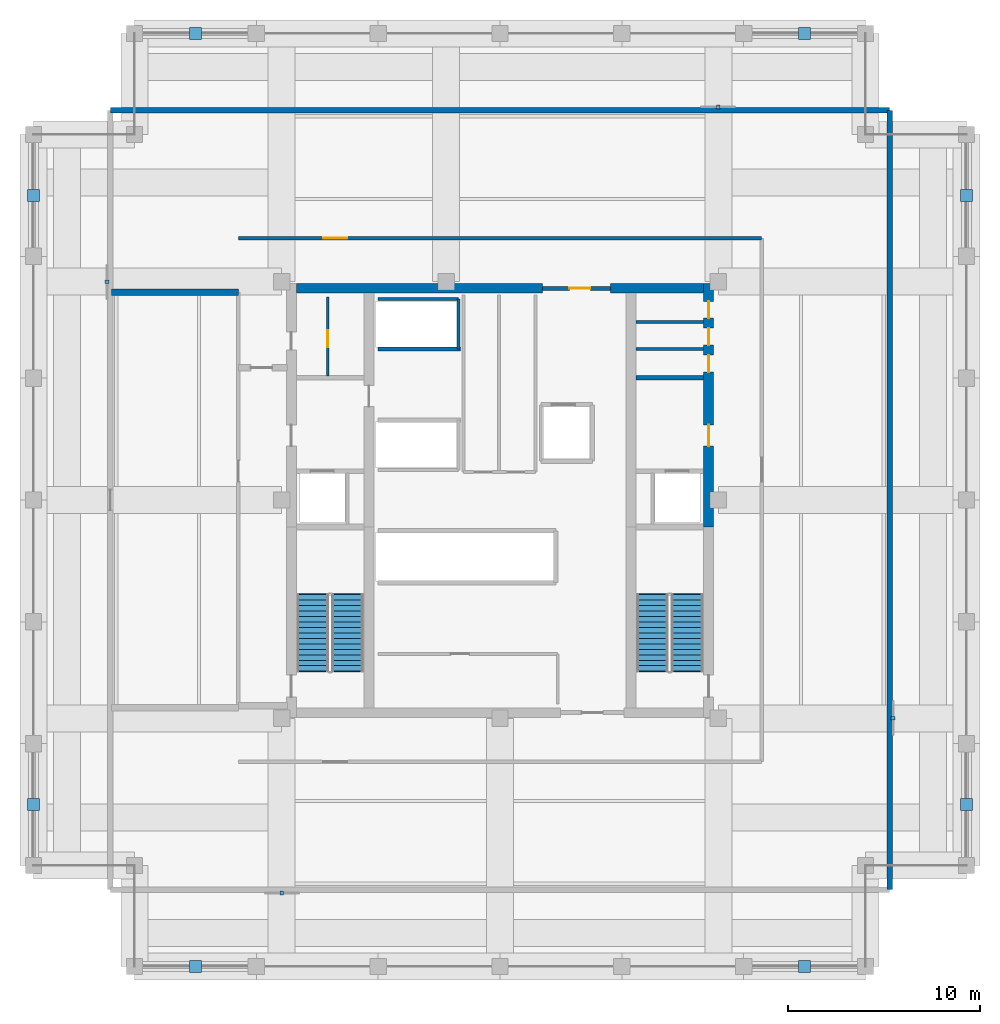
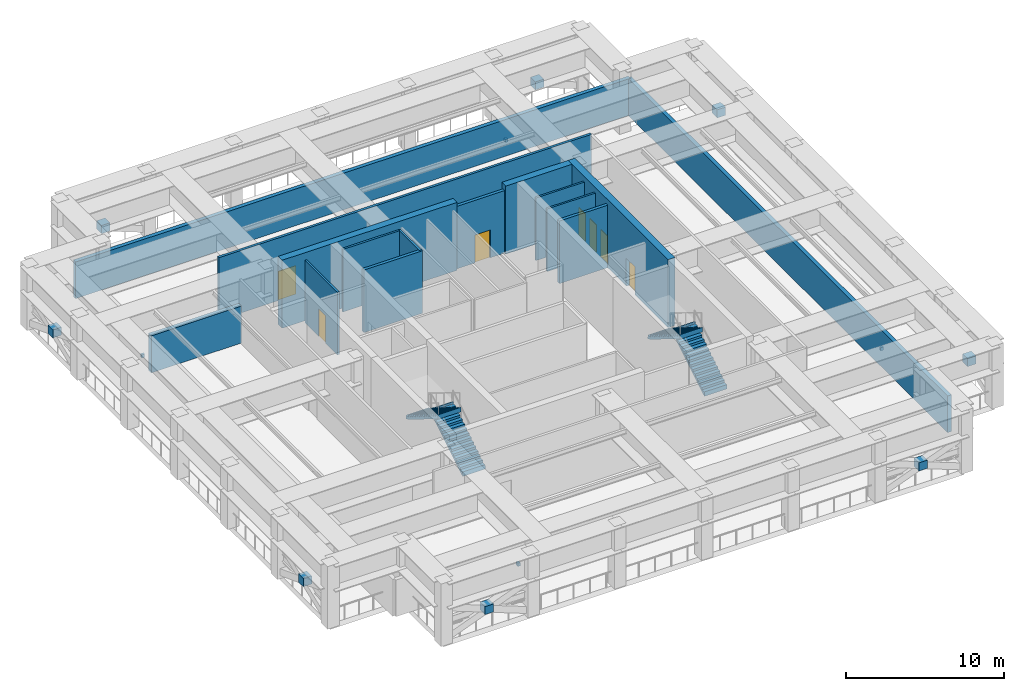
# One storey, part 4 of 10: 15 walls, 12 discrete accessories, 7 doors, 4 stair flights, 7 openings, 2 elements without a shape of their own.
"""IFC4 building model written with IfcOpenShell, lengths in metres."""

from ifc_helpers import new_model, si_unit, direction, frame, frame_2d, origin, origin_2d, place, context, subcontext, project, spatial, polyline, rectangle, outline, extrude, material, layer, layer_set, type_object, element, fill, aggregate, save


model = new_model("IFC4")

# Units and contexts
model_context = context("Model", 3, precision=1e-05, world=origin(), true_north=direction((0.0, 1.0)))
body_context = subcontext(model_context, "Body", "Model", "MODEL_VIEW")
ifc_project = project(units=[si_unit("LENGTHUNIT", "METRE"), si_unit("AREAUNIT", "SQUARE_METRE"), si_unit("VOLUMEUNIT", "CUBIC_METRE"), si_unit("PLANEANGLEUNIT", "RADIAN"), si_unit("MASSUNIT", "GRAM", prefix="KILO")], contexts=[model_context])

# Site, building, storey
site_placement = place(None, origin())
site = spatial("IfcSite", under=ifc_project, at=site_placement, CompositionType="ELEMENT")
building_placement = place(site_placement, origin())
building = spatial("IfcBuilding", under=site, at=building_placement, Name="Nhamokura Convention Tower", CompositionType="ELEMENT")
storey_placement = place(building_placement, frame((0.0, 0.0, 252.35009765625)))
storey = spatial("IfcBuildingStorey", under=building, at=storey_placement, Name="L62", CompositionType="ELEMENT", Elevation=252.35009765625)

# Wall, opening, door
ifc_material_1 = material(Name="Moisture-resistant tile-backer partition", Category="masonry")
ifc_layer_1 = layer(ifc_material_1, 0.139892578125)
ifc_layer_set_1 = layer_set([ifc_layer_1], Name="BathroomWetWall_140")
wall_type_1 = type_object("IfcWallType", Name="BathroomWetWall_140", PredefinedType="STANDARD", material=ifc_layer_set_1)
wall_1_placement = place(storey_placement, frame((23.050048828125, 38.449951171875, 0.0), z_axis=(0.0, 0.0, 1.0), x_axis=(0.0, 1.0, 0.0)))
wall_1 = element("IfcWall", 1, at=wall_1_placement, inside=storey, type_object=wall_type_1, Name="L62 Wall INT-L62-CWNWV", PredefinedType="STANDARD", context=body_context, shape_type="SweptSolid", body=[
    extrude(rectangle(XDim=4.10009765625, YDim=0.139892578125, at=frame_2d((2.050048828125, 0.0))), origin(), (0.0, 0.0, 1.0), 4.829833984375),
])
opening_1_placement = place(wall_1_placement, frame((1.5, 0.0, 0.0)))
opening_1 = element("IfcOpeningElement", 2, at=opening_1_placement, cuts=wall_1, Name="Opening D-11", PredefinedType="OPENING", context=body_context, shape_type="SweptSolid", body=[
    extrude(rectangle(XDim=0.8798828125, YDim=2.10009765625, at=frame_2d((0.43994140625, 1.050048828125))), frame((0.0, 0.079833984375, 0.0), z_axis=(0.0, -1.0, 0.0), x_axis=(1.0, 0.0, 0.0)), (0.0, 0.0, 1.0), 0.159912109375),
])
ifc_material_2 = material(Name="Solid oak hardwood", Category="wood")
door_type_1 = type_object("IfcDoorType", Name="BathroomDoor_880", OperationType="NOTDEFINED", PredefinedType="DOOR", material=ifc_material_2)
door_1_placement = place(opening_1_placement, origin())
door_1 = element("IfcDoor", 3, at=door_1_placement, inside=storey, type_object=door_type_1, Name="L62 Inner Store Door", OperationType="SINGLE_SWING_LEFT", OverallHeight=2.10009765625, OverallWidth=0.8798828125, PredefinedType="DOOR", context=body_context, shape_type="SweptSolid", body=[
    extrude(rectangle(XDim=0.8798828125, YDim=2.10009765625, at=frame_2d((0.43994140625, 1.050048828125))), frame((0.0, 0.02490234375, 0.0), z_axis=(0.0, -1.0, 0.0), x_axis=(1.0, 0.0, 0.0)), (0.0, 0.0, 1.0), 0.050048828125),
])
fill(opening_1, door_1)

# Walls
for number, where, z_axis, x_axis, name in (
    (4, (39.06005859375, 39.85009765625, 0.0), (0.0, 0.0, 1.0), (1.0, 0.0, 0.0), "L62 Wall INT-L62-CWNE1"),
    (5, (39.06005859375, 41.25, 0.0), (0.0, 0.0, 1.0), (1.0, 0.0, 0.0), "L62 Wall INT-L62-CWNE2"),
):
    element("IfcWall", number, at=place(storey_placement, frame(where, z_axis=z_axis, x_axis=x_axis)), inside=storey, type_object=wall_type_1, Name=name, PredefinedType="STANDARD", context=body_context, shape_type="SweptSolid", body=[
        extrude(rectangle(XDim=3.530029296875, YDim=0.139892578125, at=frame_2d((1.76513671875, 0.0))), origin(), (0.0, 0.0, 1.0), 4.829833984375),
    ])
ifc_material_3 = material(Name="Bronze-pigmented precast concrete C45/55", Category="concrete")
ifc_layer_2 = layer(ifc_material_3, 0.280029296875)
ifc_layer_set_2 = layer_set([ifc_layer_2], Name="BronzePrecastSpandrel_280")
wall_type_2 = type_object("IfcWallType", Name="BronzePrecastSpandrel_280", PredefinedType="USERDEFINED", material=ifc_layer_set_2)
for number, where, z_axis, x_axis, name in (
    (6, (52.25, 52.25, 0.0), (0.0, 0.0, 1.0), (0.0, -1.0, 0.0), "L62 Refuge Deck Enclosure Wall E"),
    (7, (11.75, 52.25, 0.0), (0.0, 0.0, 1.0), (1.0, 0.0, 0.0), "L62 Refuge Deck Enclosure Wall N"),
):
    element("IfcWall", number, at=place(storey_placement, frame(where, z_axis=z_axis, x_axis=x_axis)), inside=storey, type_object=wall_type_2, Name=name, ObjectType="SPANDREL_WALL", PredefinedType="USERDEFINED", context=body_context, shape_type="SweptSolid", body=[
        extrude(rectangle(XDim=40.5, YDim=0.280029296875, at=frame_2d((20.25, 0.0))), origin(), (0.0, 0.0, 1.0), 2.829833984375),
    ])

# Wall, openings, doors
ifc_material_4 = material(Name="Concrete C60/75", Category="concrete")
ifc_layer_3 = layer(ifc_material_4, 0.5)
ifc_layer_set_3 = layer_set([ifc_layer_3], Name="CoreShearWall_500")
wall_type_3 = type_object("IfcWallType", Name="CoreShearWall_500", PredefinedType="SHEAR", material=ifc_layer_set_3)
wall_2_placement = place(storey_placement, frame((42.840087890625, 30.60009765625, 0.0), z_axis=(0.0, 0.0, 1.0), x_axis=(0.0, 1.0, 0.0)))
wall_2 = element("IfcWall", 8, at=wall_2_placement, inside=storey, type_object=wall_type_3, Name="L62 Core Shear Wall CW-EN", PredefinedType="SHEAR", context=body_context, shape_type="SweptSolid", body=[
    extrude(rectangle(XDim=12.64990234375, YDim=0.5, at=frame_2d((6.324951171875, 0.0))), origin(), (0.0, 0.0, 1.0), 5.25),
])
opening_2_placement = place(wall_2_placement, frame((4.199951171875, 0.0, 0.0)))
opening_2 = element("IfcOpeningElement", 9, at=opening_2_placement, cuts=wall_2, Name="Opening D-05", PredefinedType="OPENING", context=body_context, shape_type="SweptSolid", body=[
    extrude(rectangle(XDim=1.10009765625, YDim=2.14990234375, at=frame_2d((0.550048828125, 1.074951171875))), frame((0.0, 0.260009765625, 0.0), z_axis=(0.0, -1.0, 0.0), x_axis=(1.0, 0.0, 0.0)), (0.0, 0.0, 1.0), 0.52001953125),
])
opening_3_placement = place(wall_2_placement, frame((8.050048828125, 0.0, 0.0)))
opening_3 = element("IfcOpeningElement", 10, at=opening_3_placement, cuts=wall_2, Name="Opening D-11", PredefinedType="OPENING", context=body_context, shape_type="SweptSolid", body=[
    extrude(rectangle(XDim=0.8798828125, YDim=2.10009765625, at=frame_2d((0.43994140625, 1.050048828125))), frame((0.0, 0.260009765625, 0.0), z_axis=(0.0, -1.0, 0.0), x_axis=(1.0, 0.0, 0.0)), (0.0, 0.0, 1.0), 0.52001953125),
])
opening_4_placement = place(wall_2_placement, frame((9.449951171875, 0.0, 0.0)))
opening_4 = element("IfcOpeningElement", 11, at=opening_4_placement, cuts=wall_2, Name="Opening D-11", PredefinedType="OPENING", context=body_context, shape_type="SweptSolid", body=[
    extrude(rectangle(XDim=0.8798828125, YDim=2.10009765625, at=frame_2d((0.43994140625, 1.050048828125))), frame((0.0, 0.260009765625, 0.0), z_axis=(0.0, -1.0, 0.0), x_axis=(1.0, 0.0, 0.0)), (0.0, 0.0, 1.0), 0.52001953125),
])
opening_5_placement = place(wall_2_placement, frame((10.85009765625, 0.0, 0.0)))
opening_5 = element("IfcOpeningElement", 12, at=opening_5_placement, cuts=wall_2, Name="Opening D-11", PredefinedType="OPENING", context=body_context, shape_type="SweptSolid", body=[
    extrude(rectangle(XDim=0.8798828125, YDim=2.10009765625, at=frame_2d((0.43994140625, 1.050048828125))), frame((0.0, 0.260009765625, 0.0), z_axis=(0.0, -1.0, 0.0), x_axis=(1.0, 0.0, 0.0)), (0.0, 0.0, 1.0), 0.52001953125),
])
door_2_placement = place(opening_3_placement, origin())
door_2 = element("IfcDoor", 13, at=door_2_placement, inside=storey, type_object=door_type_1, Name="L62 Core Door INT-L62-D-MWC", OperationType="SINGLE_SWING_LEFT", OverallHeight=2.10009765625, OverallWidth=0.8798828125, PredefinedType="DOOR", context=body_context, shape_type="SweptSolid", body=[
    extrude(rectangle(XDim=0.8798828125, YDim=2.10009765625, at=frame_2d((0.43994140625, 1.050048828125))), frame((0.0, 0.02490234375, 0.0), z_axis=(0.0, -1.0, 0.0), x_axis=(1.0, 0.0, 0.0)), (0.0, 0.0, 1.0), 0.050048828125),
])
fill(opening_3, door_2)
door_3_placement = place(opening_4_placement, origin())
door_3 = element("IfcDoor", 14, at=door_3_placement, inside=storey, type_object=door_type_1, Name="L62 Core Door INT-L62-D-FWC", OperationType="SINGLE_SWING_RIGHT", OverallHeight=2.10009765625, OverallWidth=0.8798828125, PredefinedType="DOOR", context=body_context, shape_type="SweptSolid", body=[
    extrude(rectangle(XDim=0.8798828125, YDim=2.10009765625, at=frame_2d((0.43994140625, 1.050048828125))), frame((0.0, 0.02490234375, 0.0), z_axis=(0.0, -1.0, 0.0), x_axis=(1.0, 0.0, 0.0)), (0.0, 0.0, 1.0), 0.050048828125),
])
fill(opening_4, door_3)
door_4_placement = place(opening_5_placement, origin())
door_4 = element("IfcDoor", 15, at=door_4_placement, inside=storey, type_object=door_type_1, Name="L62 Core Door INT-L62-D-ARC", OperationType="SINGLE_SWING_LEFT", OverallHeight=2.10009765625, OverallWidth=0.8798828125, PredefinedType="DOOR", context=body_context, shape_type="SweptSolid", body=[
    extrude(rectangle(XDim=0.8798828125, YDim=2.10009765625, at=frame_2d((0.43994140625, 1.050048828125))), frame((0.0, 0.02490234375, 0.0), z_axis=(0.0, -1.0, 0.0), x_axis=(1.0, 0.0, 0.0)), (0.0, 0.0, 1.0), 0.050048828125),
])
fill(opening_5, door_4)
ifc_material_5 = material(Name="Fire-rated steel door", Category="steel")
door_type_2 = type_object("IfcDoorType", Name="FireLobbyDoor_1100", OperationType="NOTDEFINED", PredefinedType="DOOR", material=ifc_material_5)
door_5_placement = place(opening_2_placement, origin())
door_5 = element("IfcDoor", 16, at=door_5_placement, inside=storey, type_object=door_type_2, Name="L62 Core Door INT-L62-D-FFLE", OperationType="SINGLE_SWING_LEFT", OverallHeight=2.14990234375, OverallWidth=1.10009765625, PredefinedType="DOOR", context=body_context, shape_type="SweptSolid", body=[
    extrude(rectangle(XDim=1.10009765625, YDim=2.14990234375, at=frame_2d((0.550048828125, 1.074951171875))), frame((0.0, 0.02490234375, 0.0), z_axis=(0.0, -1.0, 0.0), x_axis=(1.0, 0.0, 0.0)), (0.0, 0.0, 1.0), 0.050048828125),
])
fill(opening_2, door_5)

# Walls
wall_3_placement = place(storey_placement, frame((21.409912109375, 43.0, 0.0), z_axis=(0.0, 0.0, 1.0), x_axis=(1.0, 0.0, 0.0)))
element("IfcWall", 17, at=wall_3_placement, inside=storey, type_object=wall_type_3, Name="L62 Core Shear Wall CW-N1", PredefinedType="SHEAR", context=body_context, shape_type="SweptSolid", body=[
    extrude(rectangle(XDim=12.7900390625, YDim=0.5, at=frame_2d((6.39501953125, 0.0))), origin(), (0.0, 0.0, 1.0), 5.25),
])
wall_4_placement = place(storey_placement, frame((37.75, 43.0, 0.0), z_axis=(0.0, 0.0, 1.0), x_axis=(1.0, 0.0, 0.0)))
element("IfcWall", 18, at=wall_4_placement, inside=storey, type_object=wall_type_3, Name="L62 Core Shear Wall CW-N2", PredefinedType="SHEAR", context=body_context, shape_type="SweptSolid", body=[
    extrude(rectangle(XDim=4.840087890625, YDim=0.5, at=frame_2d((2.419921875, 0.0))), origin(), (0.0, 0.0, 1.0), 5.25),
])

# Wall, opening, door
ifc_material_6 = material(Name="Fire-rated gypsum and masonry partition", Category="masonry")
ifc_layer_4 = layer(ifc_material_6, 0.179931640625)
ifc_layer_set_4 = layer_set([ifc_layer_4], Name="CorridorRatedWall_180")
wall_type_4 = type_object("IfcWallType", Name="CorridorRatedWall_180", PredefinedType="STANDARD", material=ifc_layer_set_4)
wall_5_placement = place(storey_placement, frame((18.39990234375, 45.60009765625, 0.0), z_axis=(0.0, 0.0, 1.0), x_axis=(1.0, 0.0, 0.0)))
wall_5 = element("IfcWall", 19, at=wall_5_placement, inside=storey, type_object=wall_type_4, Name="L62 Wall INT-L62-CW-N00", PredefinedType="STANDARD", context=body_context, shape_type="SweptSolid", body=[
    extrude(rectangle(XDim=27.2001953125, YDim=0.179931640625, at=frame_2d((13.60009765625, 0.0))), origin(), (0.0, 0.0, 1.0), 4.829833984375),
])
opening_6_placement = place(wall_5_placement, frame((4.39990234375, 0.0, 0.0)))
opening_6 = element("IfcOpeningElement", 20, at=opening_6_placement, cuts=wall_5, Name="Opening D-12", PredefinedType="OPENING", context=body_context, shape_type="SweptSolid", body=[
    extrude(rectangle(XDim=1.25, YDim=2.199951171875, at=frame_2d((0.625, 1.10009765625))), frame((0.0, 0.099853515625, 0.0), z_axis=(0.0, -1.0, 0.0), x_axis=(1.0, 0.0, 0.0)), (0.0, 0.0, 1.0), 0.199951171875),
])
ifc_material_7 = material(Name="Fire-rated steel door", Category="steel")
door_type_3 = type_object("IfcDoorType", Name="PlantServiceDoor_1250", OperationType="NOTDEFINED", PredefinedType="DOOR", material=ifc_material_7)
door_6_placement = place(opening_6_placement, origin())
door_6 = element("IfcDoor", 21, at=door_6_placement, inside=storey, type_object=door_type_3, Name="L62 High-Altitude AHU Plant N01 Door", OperationType="SINGLE_SWING_LEFT", OverallHeight=2.199951171875, OverallWidth=1.25, PredefinedType="DOOR", context=body_context, shape_type="SweptSolid", body=[
    extrude(rectangle(XDim=1.25, YDim=2.199951171875, at=frame_2d((0.625, 1.10009765625))), frame((0.0, 0.02490234375, 0.0), z_axis=(0.0, -1.0, 0.0), x_axis=(1.0, 0.0, 0.0)), (0.0, 0.0, 1.0), 0.050048828125),
])
fill(opening_6, door_6)

# Walls
ifc_material_8 = material(Name="Autoclaved concrete blockwork", Category="masonry")
ifc_layer_5 = layer(ifc_material_8, 0.219970703125)
ifc_layer_set_5 = layer_set([ifc_layer_5], Name="FireLobbyWall_220")
wall_type_5 = type_object("IfcWallType", Name="FireLobbyWall_220", PredefinedType="STANDARD", material=ifc_layer_set_5)
wall_6_placement = place(storey_placement, frame((39.06005859375, 38.35009765625, 0.0), z_axis=(0.0, 0.0, 1.0), x_axis=(1.0, 0.0, 0.0)))
element("IfcWall", 22, at=wall_6_placement, inside=storey, type_object=wall_type_5, Name="L62 Wall INT-L62-FFE-N", PredefinedType="STANDARD", context=body_context, shape_type="SweptSolid", body=[
    extrude(rectangle(XDim=3.530029296875, YDim=0.219970703125, at=frame_2d((1.76513671875, 0.0))), origin(), (0.0, 0.0, 1.0), 4.829833984375),
])
wall_7_placement = place(storey_placement, frame((25.64990234375, 39.85009765625, 0.0), z_axis=(0.0, 0.0, 1.0), x_axis=(1.0, 0.0, 0.0)))
element("IfcWall", 23, at=wall_7_placement, inside=storey, type_object=wall_type_5, Name="L62 Wall INT-L62-B3N", PredefinedType="STANDARD", context=body_context, shape_type="SweptSolid", body=[
    extrude(rectangle(XDim=4.300048828125, YDim=0.219970703125, at=frame_2d((2.14990234375, 0.0))), origin(), (0.0, 0.0, 1.0), 4.829833984375),
])

# Wall, opening, door
wall_8_placement = place(storey_placement, frame((34.199951171875, 43.0, 0.0), z_axis=(0.0, 0.0, 1.0), x_axis=(1.0, 0.0, 0.0)))
wall_8 = element("IfcWall", 24, at=wall_8_placement, inside=storey, type_object=wall_type_5, Name="L62 Wall INT-L62-CPORT-N", PredefinedType="STANDARD", context=body_context, shape_type="SweptSolid", body=[
    extrude(rectangle(XDim=3.550048828125, YDim=0.219970703125, at=frame_2d((1.77490234375, 0.0))), origin(), (0.0, 0.0, 1.0), 4.829833984375),
])
opening_7_placement = place(wall_8_placement, frame((1.39990234375, 0.0, 0.0)))
opening_7 = element("IfcOpeningElement", 25, at=opening_7_placement, cuts=wall_8, Name="Opening D-05", PredefinedType="OPENING", context=body_context, shape_type="SweptSolid", body=[
    extrude(rectangle(XDim=1.10009765625, YDim=2.14990234375, at=frame_2d((0.550048828125, 1.074951171875))), frame((0.0, 0.119873046875, 0.0), z_axis=(0.0, -1.0, 0.0), x_axis=(1.0, 0.0, 0.0)), (0.0, 0.0, 1.0), 0.239990234375),
])
door_7_placement = place(opening_7_placement, origin())
door_7 = element("IfcDoor", 26, at=door_7_placement, inside=storey, type_object=door_type_2, Name="L62 North Core Lobby Portal Door", OperationType="SINGLE_SWING_RIGHT", OverallHeight=2.14990234375, OverallWidth=1.10009765625, PredefinedType="DOOR", context=body_context, shape_type="SweptSolid", body=[
    extrude(rectangle(XDim=1.10009765625, YDim=2.14990234375, at=frame_2d((0.550048828125, 1.074951171875))), frame((0.0, 0.02490234375, 0.0), z_axis=(0.0, -1.0, 0.0), x_axis=(1.0, 0.0, 0.0)), (0.0, 0.0, 1.0), 0.050048828125),
])
fill(opening_7, door_7)

# Walls
ifc_material_9 = material(Name="Concrete C50/60", Category="concrete")
ifc_layer_6 = layer(ifc_material_9, 0.35009765625)
ifc_layer_set_6 = layer_set([ifc_layer_6], Name="FirewallPlant_350")
wall_type_6 = type_object("IfcWallType", Name="FirewallPlant_350", PredefinedType="STANDARD", material=ifc_layer_set_6)
wall_9_placement = place(storey_placement, frame((11.800048828125, 42.800048828125, 0.0), z_axis=(0.0, 0.0, 1.0), x_axis=(1.0, 0.0, 0.0)))
element("IfcWall", 27, at=wall_9_placement, inside=storey, type_object=wall_type_6, Name="L62 Wall INT-L62-RWT-W", PredefinedType="STANDARD", context=body_context, shape_type="SweptSolid", body=[
    extrude(rectangle(XDim=6.599853515625, YDim=0.35009765625, at=frame_2d((3.2998046875, 0.0))), origin(), (0.0, 0.0, 1.0), 2.85791015625),
])
ifc_material_10 = material(Name="Acoustic gypsum stud partition", Category="masonry")
ifc_layer_7 = layer(ifc_material_10, 0.14990234375)
ifc_layer_set_7 = layer_set([ifc_layer_7], Name="InteriorPartition_150")
wall_type_7 = type_object("IfcWallType", Name="InteriorPartition_150", PredefinedType="STANDARD", material=ifc_layer_set_7)
wall_10_placement = place(storey_placement, frame((25.64990234375, 42.449951171875, 0.0), z_axis=(0.0, 0.0, 1.0), x_axis=(1.0, 0.0, 0.0)))
element("IfcWall", 28, at=wall_10_placement, inside=storey, type_object=wall_type_7, Name="L62 Wall INT-L62-B3B-N", PredefinedType="STANDARD", context=body_context, shape_type="SweptSolid", body=[
    extrude(rectangle(XDim=4.2001953125, YDim=0.14990234375, at=frame_2d((2.10009765625, 0.0))), origin(), (0.0, 0.0, 1.0), 4.829833984375),
])
wall_11_placement = place(storey_placement, frame((29.85009765625, 39.85009765625, 0.0), z_axis=(0.0, 0.0, 1.0), x_axis=(0.0, 1.0, 0.0)))
element("IfcWall", 29, at=wall_11_placement, inside=storey, type_object=wall_type_7, Name="L62 Wall INT-L62-B3B-E", PredefinedType="STANDARD", context=body_context, shape_type="SweptSolid", body=[
    extrude(rectangle(XDim=2.599853515625, YDim=0.14990234375, at=frame_2d((1.2998046875, 0.0))), origin(), (0.0, 0.0, 1.0), 4.829833984375),
])

# Stair, stair flights
ifc_material_11 = material(Name="Concrete C40/50", Category="concrete")
stair_type = type_object("IfcStairType", Name="TowerCoreStair_1650", PredefinedType="HALF_TURN_STAIR", material=ifc_material_11)
stair_1_placement = place(storey_placement, origin())
stair_1 = element("IfcStair", 30, at=stair_1_placement, inside=storey, type_object=stair_type, Name="L62 West Core Smokeproof Stair ST-01", PredefinedType="HALF_TURN_STAIR")
ifc_material_12 = material(Name="Concrete C40/50", Category="concrete")
stair_flight_type = type_object("IfcStairFlightType", Name="TowerCoreStair_1650_Flight", PredefinedType="STRAIGHT", material=ifc_material_12)
stair_flight_1_placement = place(storey_placement, frame((24.074951171875, 23.10009765625, 0.0), z_axis=(0.0, 0.0, 1.0), x_axis=(0.0, 1.0, 0.0)))
stair_flight_1 = element("IfcStairFlight", 31, at=stair_flight_1_placement, type_object=stair_flight_type, Name="ST-01 flight 1", NumberOfRisers=15, NumberOfTreads=14, PredefinedType="STRAIGHT", RiserHeight=0.175, TreadLength=0.285, context=body_context, shape_type="SweptSolid", body=[
    extrude(outline(polyline([(-0.0419921875, 0.0), (0.0, 0.175048828125), (0.284912109375, 0.175048828125), (0.284912109375, 0.35009765625), (0.570068359375, 0.35009765625), (0.570068359375, 0.52490234375), (0.85498046875, 0.52490234375), (0.85498046875, 0.699951171875), (1.139892578125, 0.699951171875), (1.139892578125, 0.875), (1.425048828125, 0.875), (1.425048828125, 1.050048828125), (1.7099609375, 1.050048828125), (1.7099609375, 1.22509765625), (1.9951171875, 1.22509765625), (1.9951171875, 1.39990234375), (2.280029296875, 1.39990234375), (2.280029296875, 1.574951171875), (2.56494140625, 1.574951171875), (2.56494140625, 1.75), (2.85009765625, 1.75), (2.85009765625, 1.925048828125), (3.135009765625, 1.925048828125), (3.135009765625, 2.10009765625), (3.419921875, 2.10009765625), (3.419921875, 2.27490234375), (3.705078125, 2.27490234375), (3.705078125, 2.449951171875), (3.989990234375, 2.449951171875), (3.989990234375, 2.625), (4.031982421875, 2.625), (4.031982421875, 2.274169921875), (3.989990234375, 2.274169921875), (0.286376953125, 0.0), (0.02001953125, -0.1298828125), (-0.0419921875, -0.1298828125), (-0.0419921875, 0.0)])), frame((0.0, 0.824951171875, 0.0), z_axis=(0.0, -1.0, 0.0), x_axis=(1.0, 0.0, 0.0)), (0.0, 0.0, 1.0), 1.64990234375),
])
stair_flight_2_placement = place(storey_placement, frame((22.27490234375, 27.090087890625, 2.625), z_axis=(0.0, 0.0, 1.0), x_axis=(0.0, -1.0, 0.0)))
stair_flight_2 = element("IfcStairFlight", 32, at=stair_flight_2_placement, type_object=stair_flight_type, Name="ST-01 flight 2", NumberOfRisers=15, NumberOfTreads=14, PredefinedType="STRAIGHT", RiserHeight=0.175, TreadLength=0.285, context=body_context, shape_type="SweptSolid", body=[
    extrude(outline(polyline([(-0.0419921875, 0.0), (0.0, 0.175048828125), (0.284912109375, 0.175048828125), (0.284912109375, 0.35009765625), (0.570068359375, 0.35009765625), (0.570068359375, 0.52490234375), (0.85498046875, 0.52490234375), (0.85498046875, 0.699951171875), (1.139892578125, 0.699951171875), (1.139892578125, 0.875), (1.425048828125, 0.875), (1.425048828125, 1.050048828125), (1.7099609375, 1.050048828125), (1.7099609375, 1.22509765625), (1.9951171875, 1.22509765625), (1.9951171875, 1.39990234375), (2.280029296875, 1.39990234375), (2.280029296875, 1.574951171875), (2.56494140625, 1.574951171875), (2.56494140625, 1.75), (2.85009765625, 1.75), (2.85009765625, 1.925048828125), (3.135009765625, 1.925048828125), (3.135009765625, 2.10009765625), (3.419921875, 2.10009765625), (3.419921875, 2.27490234375), (3.705078125, 2.27490234375), (3.705078125, 2.449951171875), (3.989990234375, 2.449951171875), (3.989990234375, 2.625), (4.031982421875, 2.625), (4.031982421875, 2.274169921875), (3.989990234375, 2.274169921875), (0.286376953125, 0.0), (0.02001953125, -0.1298828125), (-0.0419921875, -0.1298828125), (-0.0419921875, 0.0)])), frame((0.0, 0.824951171875, 0.0), z_axis=(0.0, -1.0, 0.0), x_axis=(1.0, 0.0, 0.0)), (0.0, 0.0, 1.0), 1.64990234375),
])
aggregate(stair_1, [stair_flight_1, stair_flight_2])

stair_2_placement = place(storey_placement, origin())
stair_2 = element("IfcStair", 33, at=stair_2_placement, inside=storey, type_object=stair_type, Name="L62 East Core Smokeproof Stair ST-02", PredefinedType="HALF_TURN_STAIR")
stair_flight_3_placement = place(storey_placement, frame((41.72509765625, 23.10009765625, 0.0), z_axis=(0.0, 0.0, 1.0), x_axis=(0.0, 1.0, 0.0)))
stair_flight_3 = element("IfcStairFlight", 34, at=stair_flight_3_placement, type_object=stair_flight_type, Name="ST-02 flight 1", NumberOfRisers=15, NumberOfTreads=14, PredefinedType="STRAIGHT", RiserHeight=0.175, TreadLength=0.285, context=body_context, shape_type="SweptSolid", body=[
    extrude(outline(polyline([(-0.0419921875, 0.0), (0.0, 0.175048828125), (0.284912109375, 0.175048828125), (0.284912109375, 0.35009765625), (0.570068359375, 0.35009765625), (0.570068359375, 0.52490234375), (0.85498046875, 0.52490234375), (0.85498046875, 0.699951171875), (1.139892578125, 0.699951171875), (1.139892578125, 0.875), (1.425048828125, 0.875), (1.425048828125, 1.050048828125), (1.7099609375, 1.050048828125), (1.7099609375, 1.22509765625), (1.9951171875, 1.22509765625), (1.9951171875, 1.39990234375), (2.280029296875, 1.39990234375), (2.280029296875, 1.574951171875), (2.56494140625, 1.574951171875), (2.56494140625, 1.75), (2.85009765625, 1.75), (2.85009765625, 1.925048828125), (3.135009765625, 1.925048828125), (3.135009765625, 2.10009765625), (3.419921875, 2.10009765625), (3.419921875, 2.27490234375), (3.705078125, 2.27490234375), (3.705078125, 2.449951171875), (3.989990234375, 2.449951171875), (3.989990234375, 2.625), (4.031982421875, 2.625), (4.031982421875, 2.274169921875), (3.989990234375, 2.274169921875), (0.286376953125, 0.0), (0.02001953125, -0.1298828125), (-0.0419921875, -0.1298828125), (-0.0419921875, 0.0)])), frame((0.0, 0.824951171875, 0.0), z_axis=(0.0, -1.0, 0.0), x_axis=(1.0, 0.0, 0.0)), (0.0, 0.0, 1.0), 1.64990234375),
])
stair_flight_4_placement = place(storey_placement, frame((39.925048828125, 27.090087890625, 2.625), z_axis=(0.0, 0.0, 1.0), x_axis=(0.0, -1.0, 0.0)))
stair_flight_4 = element("IfcStairFlight", 35, at=stair_flight_4_placement, type_object=stair_flight_type, Name="ST-02 flight 2", NumberOfRisers=15, NumberOfTreads=14, PredefinedType="STRAIGHT", RiserHeight=0.175, TreadLength=0.285, context=body_context, shape_type="SweptSolid", body=[
    extrude(outline(polyline([(-0.0419921875, 0.0), (0.0, 0.175048828125), (0.284912109375, 0.175048828125), (0.284912109375, 0.35009765625), (0.570068359375, 0.35009765625), (0.570068359375, 0.52490234375), (0.85498046875, 0.52490234375), (0.85498046875, 0.699951171875), (1.139892578125, 0.699951171875), (1.139892578125, 0.875), (1.425048828125, 0.875), (1.425048828125, 1.050048828125), (1.7099609375, 1.050048828125), (1.7099609375, 1.22509765625), (1.9951171875, 1.22509765625), (1.9951171875, 1.39990234375), (2.280029296875, 1.39990234375), (2.280029296875, 1.574951171875), (2.56494140625, 1.574951171875), (2.56494140625, 1.75), (2.85009765625, 1.75), (2.85009765625, 1.925048828125), (3.135009765625, 1.925048828125), (3.135009765625, 2.10009765625), (3.419921875, 2.10009765625), (3.419921875, 2.27490234375), (3.705078125, 2.27490234375), (3.705078125, 2.449951171875), (3.989990234375, 2.449951171875), (3.989990234375, 2.625), (4.031982421875, 2.625), (4.031982421875, 2.274169921875), (3.989990234375, 2.274169921875), (0.286376953125, 0.0), (0.02001953125, -0.1298828125), (-0.0419921875, -0.1298828125), (-0.0419921875, 0.0)])), frame((0.0, 0.824951171875, 0.0), z_axis=(0.0, -1.0, 0.0), x_axis=(1.0, 0.0, 0.0)), (0.0, 0.0, 1.0), 1.64990234375),
])
aggregate(stair_2, [stair_flight_3, stair_flight_4])

# Discrete accessories
ifc_material_13 = material(Name="Steel ASTM A572 Gr 50", Category="steel")
discrete_accessory_type = type_object("IfcDiscreteAccessoryType", Name="FacadeOutstandBracket", PredefinedType="BRACKET", material=ifc_material_13)
for number, where, z_axis, x_axis, name in (
    (36, (16.166748046875, 7.75, 1.2548828125), (0.0, 0.0, 1.0), (1.0, 0.0, 0.0), "L62 Outrigger X-Brace Crossing Node Gusset OUT-S0"),
    (37, (47.833251953125, 7.75, 1.2548828125), (0.0, 0.0, 1.0), (1.0, 0.0, 0.0), "L62 Outrigger X-Brace Crossing Node Gusset OUT-S5"),
    (38, (16.166748046875, 56.25, 1.2548828125), (0.0, 0.0, 1.0), (1.0, 0.0, 0.0), "L62 Outrigger X-Brace Crossing Node Gusset OUT-N0"),
    (39, (47.833251953125, 56.25, 1.2548828125), (0.0, 0.0, 1.0), (1.0, 0.0, 0.0), "L62 Outrigger X-Brace Crossing Node Gusset OUT-N5"),
    (40, (7.75, 16.166748046875, 1.2548828125), (0.0, 0.0, 1.0), (1.0, 0.0, 0.0), "L62 Outrigger X-Brace Crossing Node Gusset OUT-W0"),
    (41, (7.75, 47.833251953125, 1.2548828125), (0.0, 0.0, 1.0), (1.0, 0.0, 0.0), "L62 Outrigger X-Brace Crossing Node Gusset OUT-W5"),
    (42, (56.25, 16.166748046875, 1.2548828125), (0.0, 0.0, 1.0), (1.0, 0.0, 0.0), "L62 Outrigger X-Brace Crossing Node Gusset OUT-E0"),
    (43, (56.25, 47.833251953125, 1.2548828125), (0.0, 0.0, 1.0), (1.0, 0.0, 0.0), "L62 Outrigger X-Brace Crossing Node Gusset OUT-E5"),
):
    element("IfcDiscreteAccessory", number, at=place(storey_placement, frame(where, z_axis=z_axis, x_axis=x_axis)), inside=storey, type_object=discrete_accessory_type, Name=name, PredefinedType="BRACKET", context=body_context, shape_type="SweptSolid", body=[
        extrude(rectangle(XDim=0.6201171875, YDim=0.6201171875, at=origin_2d()), origin(), (0.0, 0.0, 1.0), 0.6201171875),
    ])
for number, where, z_axis, x_axis, name in (
    (44, (20.659912109375, 11.572509765625, 0.8798828125), (0.0, 0.0, 1.0), (-1.0, 0.0, 0.0), "L62 Louvre Support Bracket S"),
    (45, (52.427490234375, 20.659912109375, 0.8798828125), (0.0, 0.0, 1.0), (0.0, -1.0, 0.0), "L62 Louvre Support Bracket E"),
    (46, (43.340087890625, 52.427490234375, 0.8798828125), (0.0, 0.0, 1.0), (1.0, 0.0, 0.0), "L62 Louvre Support Bracket N"),
    (47, (11.572509765625, 43.340087890625, 0.8798828125), (0.0, 0.0, 1.0), (0.0, 1.0, 0.0), "L62 Louvre Support Bracket W"),
):
    element("IfcDiscreteAccessory", number, at=place(storey_placement, frame(where, z_axis=z_axis, x_axis=x_axis)), inside=storey, type_object=discrete_accessory_type, Name=name, PredefinedType="BRACKET", context=body_context, shape_type="SweptSolid", body=[
        extrude(rectangle(XDim=0.179931640625, YDim=0.219970703125, at=origin_2d()), origin(), (0.0, 0.0, 1.0), 0.239990234375),
    ])

save(model, "model.ifc")
